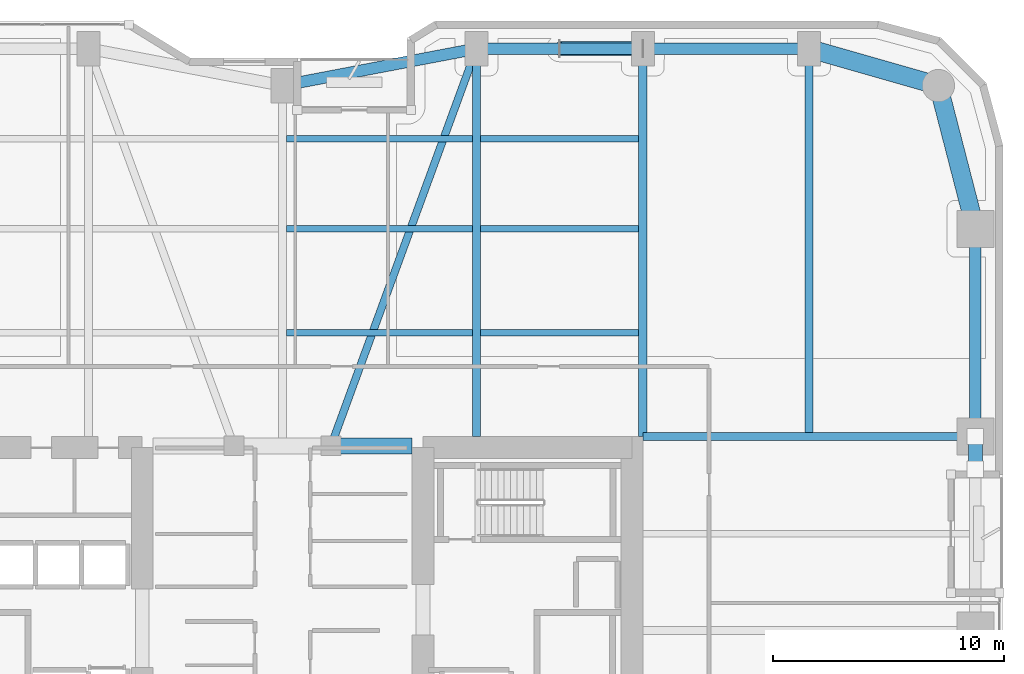
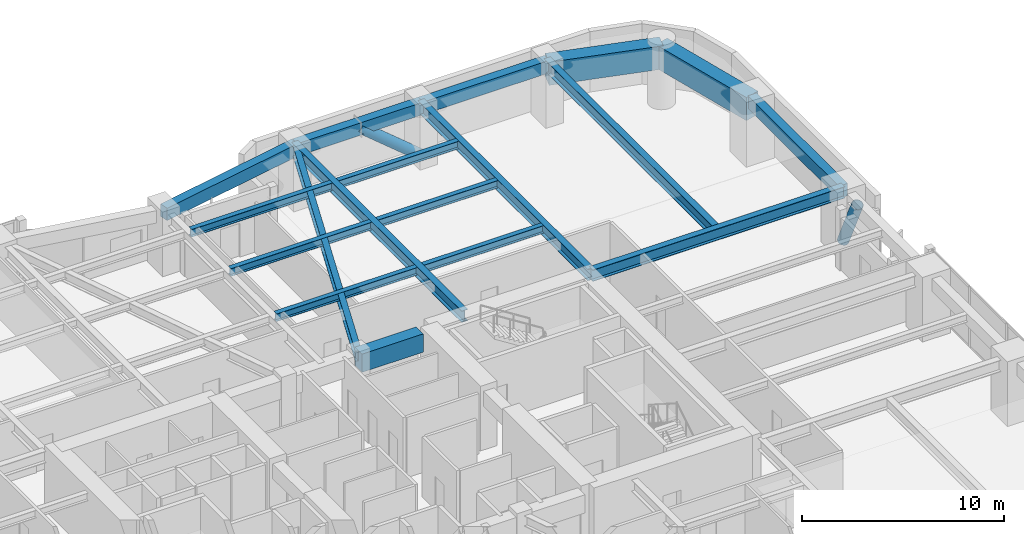
# One storey, part 18 of 28: 18 beams, 2 members.
"""IFC4 building model written with IfcOpenShell, lengths in metres."""

from ifc_helpers import new_model, si_unit, direction, frame, origin, origin_2d, place, context, subcontext, project, spatial, rectangle, hollow_circle, i_section, extrude, material, material_profile, profile_set, type_object, element, save


model = new_model("IFC4")

# Units and contexts
model_context = context("Model", 3, precision=1e-05, world=origin(), true_north=direction((0.0, 1.0)))
body_context = subcontext(model_context, "Body", "Model", "MODEL_VIEW")
ifc_project = project(units=[si_unit("LENGTHUNIT", "METRE"), si_unit("AREAUNIT", "SQUARE_METRE"), si_unit("VOLUMEUNIT", "CUBIC_METRE"), si_unit("PLANEANGLEUNIT", "RADIAN"), si_unit("MASSUNIT", "GRAM", prefix="KILO")], contexts=[model_context])

# Site, building, storey
site_placement = place(None, origin())
site = spatial("IfcSite", under=ifc_project, at=site_placement, CompositionType="ELEMENT")
building_placement = place(site_placement, origin())
building = spatial("IfcBuilding", under=site, at=building_placement, Name="Kiyonajd Concourse Tower", CompositionType="ELEMENT")
storey_placement = place(building_placement, frame((0.0, 0.0, 60.60009765625)))
storey = spatial("IfcBuildingStorey", under=building, at=storey_placement, Name="L16", CompositionType="ELEMENT", Elevation=60.60009765625)

# Beams
ifc_material_1 = material(Name="Concrete C70/85", Category="concrete")
ifc_material_profile_1 = material_profile(ifc_material_1, rectangle(XDim=0.699951171875, YDim=1.10009765625, at=origin_2d()), Name="RCBM-700x1100")
ifc_profile_set_1 = profile_set([ifc_material_profile_1], Name="Concrete C70/85")
beam_type_1 = type_object("IfcBeamType", Name="BM-COUP-1100", PredefinedType="LINTEL", material=ifc_profile_set_1)
beam_1_placement = place(storey_placement, frame((50.10009765625, 44.0, 3.08984375), z_axis=(1.0, 0.0, 0.0), x_axis=(0.0, 1.0, 0.0)))
element("IfcBeam", 1, at=beam_1_placement, inside=storey, type_object=beam_type_1, Name="L16 Core Coupling Beam N3", PredefinedType="LINTEL", context=body_context, shape_type="SweptSolid", body=[
    extrude(rectangle(XDim=0.699951171875, YDim=1.10009765625, at=origin_2d()), origin(), (0.0, 0.0, 1.0), 3.5),
])
ifc_material_2 = material(Name="Steel ASTM A992 Grade 50", Category="steel")
ifc_material_profile_2 = material_profile(ifc_material_2, i_section(OverallWidth=0.280029296875, OverallDepth=0.462890625, WebThickness=0.0107421875, FlangeThickness=0.017333984375, at=origin_2d()), Name="W460X113")
ifc_profile_set_2 = profile_set([ifc_material_profile_2], Name="Steel ASTM A992 Grade 50")
beam_type_2 = type_object("IfcBeamType", Name="BM-JST-460A", PredefinedType="JOIST", material=ifc_profile_set_2)
beam_2_placement = place(storey_placement, frame((48.177490234375, 48.89990234375, 3.408447265625), z_axis=(1.0, 0.0, 0.0), x_axis=(0.0, 1.0, 0.0)))
element("IfcBeam", 2, at=beam_2_placement, inside=storey, type_object=beam_type_2, Name="L16 Secondary Floor Joist", PredefinedType="JOIST", context=body_context, shape_type="SweptSolid", body=[
    extrude(i_section(OverallWidth=0.280029296875, OverallDepth=0.462890625, WebThickness=0.0107421875, FlangeThickness=0.017333984375, at=origin_2d()), origin(), (0.0, 0.0, 1.0), 8.044921875),
])
beam_3_placement = place(storey_placement, frame((56.577392578125, 48.89990234375, 3.408447265625), z_axis=(1.0, 0.0, 0.0), x_axis=(0.0, 1.0, 0.0)))
element("IfcBeam", 3, at=beam_3_placement, inside=storey, type_object=beam_type_2, Name="L16 Secondary Floor Joist", PredefinedType="JOIST", context=body_context, shape_type="SweptSolid", body=[
    extrude(i_section(OverallWidth=0.280029296875, OverallDepth=0.462890625, WebThickness=0.0107421875, FlangeThickness=0.017333984375, at=origin_2d()), origin(), (0.0, 0.0, 1.0), 6.84521484375),
])
beam_4_placement = place(storey_placement, frame((48.177490234375, 53.39990234375, 3.408447265625), z_axis=(1.0, 0.0, 0.0), x_axis=(0.0, 1.0, 0.0)))
element("IfcBeam", 4, at=beam_4_placement, inside=storey, type_object=beam_type_2, Name="L16 Secondary Floor Joist", PredefinedType="JOIST", context=body_context, shape_type="SweptSolid", body=[
    extrude(i_section(OverallWidth=0.280029296875, OverallDepth=0.462890625, WebThickness=0.0107421875, FlangeThickness=0.017333984375, at=origin_2d()), origin(), (0.0, 0.0, 1.0), 8.044921875),
])
beam_5_placement = place(storey_placement, frame((56.577392578125, 53.39990234375, 3.408447265625), z_axis=(1.0, 0.0, 0.0), x_axis=(0.0, 1.0, 0.0)))
element("IfcBeam", 5, at=beam_5_placement, inside=storey, type_object=beam_type_2, Name="L16 Secondary Floor Joist", PredefinedType="JOIST", context=body_context, shape_type="SweptSolid", body=[
    extrude(i_section(OverallWidth=0.280029296875, OverallDepth=0.462890625, WebThickness=0.0107421875, FlangeThickness=0.017333984375, at=origin_2d()), origin(), (0.0, 0.0, 1.0), 6.84521484375),
])
beam_6_placement = place(storey_placement, frame((48.177490234375, 57.300048828125, 3.408447265625), z_axis=(1.0, 0.0, 0.0), x_axis=(0.0, 1.0, 0.0)))
element("IfcBeam", 6, at=beam_6_placement, inside=storey, type_object=beam_type_2, Name="L16 Secondary Floor Joist", PredefinedType="JOIST", context=body_context, shape_type="SweptSolid", body=[
    extrude(i_section(OverallWidth=0.280029296875, OverallDepth=0.462890625, WebThickness=0.0107421875, FlangeThickness=0.017333984375, at=origin_2d()), origin(), (0.0, 0.0, 1.0), 8.044921875),
])
beam_7_placement = place(storey_placement, frame((56.577392578125, 57.300048828125, 3.408447265625), z_axis=(1.0, 0.0, 0.0), x_axis=(0.0, 1.0, 0.0)))
element("IfcBeam", 7, at=beam_7_placement, inside=storey, type_object=beam_type_2, Name="L16 Secondary Floor Joist", PredefinedType="JOIST", context=body_context, shape_type="SweptSolid", body=[
    extrude(i_section(OverallWidth=0.280029296875, OverallDepth=0.462890625, WebThickness=0.0107421875, FlangeThickness=0.017333984375, at=origin_2d()), origin(), (0.0, 0.0, 1.0), 6.84521484375),
])
ifc_material_3 = material(Name="Precast concrete C50/60", Category="concrete")
ifc_material_profile_3 = material_profile(ifc_material_3, rectangle(XDim=0.5, YDim=0.75, at=origin_2d()), Name="RCBM-500x750")
ifc_profile_set_3 = profile_set([ifc_material_profile_3], Name="Precast concrete C50/60")
beam_type_3 = type_object("IfcBeamType", Name="BM-SPAN-RC", PredefinedType="SPANDREL", material=ifc_profile_set_3)
beam_8_placement = place(storey_placement, frame((78.0, 44.39990234375, 3.264892578125), z_axis=(0.0, 1.0, 0.0), x_axis=(-1.0, 0.0, 0.0)))
element("IfcBeam", 8, at=beam_8_placement, inside=storey, type_object=beam_type_3, Name="L16 Perimeter Bundled Tube Spandrel", PredefinedType="SPANDREL", context=body_context, shape_type="SweptSolid", body=[
    extrude(rectangle(XDim=0.5, YDim=0.75, at=origin_2d()), origin(), (0.0, 0.0, 1.0), 9.0),
])
beam_9_placement = place(storey_placement, frame((70.800048828125, 61.199951171875, 3.264892578125), z_axis=(-1.0, 0.0, 0.0), x_axis=(0.0, -1.0, 0.0)))
element("IfcBeam", 9, at=beam_9_placement, inside=storey, type_object=beam_type_3, Name="L16 Perimeter Bundled Tube Spandrel", PredefinedType="SPANDREL", context=body_context, shape_type="SweptSolid", body=[
    extrude(rectangle(XDim=0.5, YDim=0.75, at=origin_2d()), origin(), (0.0, 0.0, 1.0), 7.199951171875),
])
beam_10_placement = place(storey_placement, frame((63.60009765625, 61.199951171875, 3.264892578125), z_axis=(-1.0, 0.0, 0.0), x_axis=(0.0, -1.0, 0.0)))
element("IfcBeam", 10, at=beam_10_placement, inside=storey, type_object=beam_type_3, Name="L16 Perimeter Bundled Tube Spandrel", PredefinedType="SPANDREL", context=body_context, shape_type="SweptSolid", body=[
    extrude(rectangle(XDim=0.5, YDim=0.75, at=origin_2d()), origin(), (0.0, 0.0, 1.0), 7.2001953125),
])
beam_11_placement = place(storey_placement, frame((56.39990234375, 61.199951171875, 3.264892578125), z_axis=(-0.982341315253, -0.187097675953, 0.0), x_axis=(0.187097675953, -0.982341315253, 0.0)))
element("IfcBeam", 11, at=beam_11_placement, inside=storey, type_object=beam_type_3, Name="L16 Perimeter Bundled Tube Spandrel", PredefinedType="SPANDREL", context=body_context, shape_type="SweptSolid", body=[
    extrude(rectangle(XDim=0.5, YDim=0.75, at=origin_2d()), origin(), (0.0, 0.0, 1.0), 8.55078125),
])
ifc_material_profile_4 = material_profile(ifc_material_2, i_section(OverallWidth=0.326904296875, OverallDepth=0.6220703125, WebThickness=0.015380859375, FlangeThickness=0.0244140625, at=origin_2d()), Name="W610X195")
ifc_profile_set_4 = profile_set([ifc_material_profile_4], Name="Steel ASTM A992 Grade 50")
beam_type_4 = type_object("IfcBeamType", Name="BM-TWR-610A", PredefinedType="BEAM", material=ifc_profile_set_4)
beam_12_placement = place(storey_placement, frame((50.10009765625, 44.0, 3.328857421875), z_axis=(0.343925269715, 0.938997022813, 0.0), x_axis=(-0.938997022813, 0.343925269715, 0.0)))
element("IfcBeam", 12, at=beam_12_placement, inside=storey, type_object=beam_type_4, Name="L16 Core Tie Girder", PredefinedType="BEAM", context=body_context, shape_type="SweptSolid", body=[
    extrude(i_section(OverallWidth=0.326904296875, OverallDepth=0.6220703125, WebThickness=0.015380859375, FlangeThickness=0.0244140625, at=origin_2d()), origin(), (0.0, 0.0, 1.0), 18.3173828125),
])
ifc_material_profile_5 = material_profile(ifc_material_2, i_section(OverallWidth=0.35498046875, OverallDepth=0.695068359375, WebThickness=0.015380859375, FlangeThickness=0.02490234375, at=origin_2d()), Name="W690X217")
ifc_profile_set_5 = profile_set([ifc_material_profile_5], Name="Steel ASTM A992 Grade 50")
beam_type_5 = type_object("IfcBeamType", Name="BM-TWR-690", PredefinedType="BEAM", material=ifc_profile_set_5)
for number, where, z_axis, x_axis, name in (
    (13, (56.39990234375, 44.39990234375, 3.29248046875), (0.0, 1.0, 0.0), (-1.0, 0.0, 0.0), "L16 North Lease Girder"),
    (14, (63.60009765625, 44.39990234375, 3.29248046875), (0.0, 1.0, 0.0), (-1.0, 0.0, 0.0), "L16 North Lease Girder"),
    (15, (70.800048828125, 44.39990234375, 3.29248046875), (0.0, 1.0, 0.0), (-1.0, 0.0, 0.0), "L16 North Lease Girder"),
):
    element("IfcBeam", number, at=place(storey_placement, frame(where, z_axis=z_axis, x_axis=x_axis)), inside=storey, type_object=beam_type_5, Name=name, PredefinedType="BEAM", context=body_context, shape_type="SweptSolid", body=[
        extrude(i_section(OverallWidth=0.35498046875, OverallDepth=0.695068359375, WebThickness=0.015380859375, FlangeThickness=0.02490234375, at=origin_2d()), origin(), (0.0, 0.0, 1.0), 16.800048828125),
    ])
beam_13_placement = place(storey_placement, frame((63.60009765625, 44.39990234375, 3.29248046875), z_axis=(1.0, 0.0, 0.0), x_axis=(0.0, 1.0, 0.0)))
element("IfcBeam", 16, at=beam_13_placement, inside=storey, type_object=beam_type_5, Name="L16 East Lease Girder", PredefinedType="BEAM", context=body_context, shape_type="SweptSolid", body=[
    extrude(i_section(OverallWidth=0.35498046875, OverallDepth=0.695068359375, WebThickness=0.015380859375, FlangeThickness=0.02490234375, at=origin_2d()), origin(), (0.0, 0.0, 1.0), 14.39990234375),
])
ifc_material_4 = material(Name="Concrete C60/75", Category="concrete")
ifc_material_profile_6 = material_profile(ifc_material_4, rectangle(XDim=0.800048828125, YDim=1.39990234375, at=origin_2d()), Name="RCBM-800x1400")
ifc_profile_set_6 = profile_set([ifc_material_profile_6], Name="Concrete C60/75")
beam_type_6 = type_object("IfcBeamType", Name="BM-XFER-RC", PredefinedType="BEAM", material=ifc_profile_set_6)
beam_14_placement = place(storey_placement, frame((78.0, 53.39990234375, 2.93994140625), z_axis=(-0.249884937687, 0.968275538221, 0.0), x_axis=(-0.968275538221, -0.249884937687, 0.0)))
element("IfcBeam", 17, at=beam_14_placement, inside=storey, type_object=beam_type_6, Name="L16 Perimeter Bundled Tube Spandrel", PredefinedType="BEAM", context=body_context, shape_type="SweptSolid", body=[
    extrude(rectangle(XDim=0.800048828125, YDim=1.39990234375, at=origin_2d()), origin(), (0.0, 0.0, 1.0), 6.4033203125),
])
beam_15_placement = place(storey_placement, frame((76.39990234375, 59.60009765625, 2.93994140625), z_axis=(-0.961528693205, 0.274704517878, 0.0), x_axis=(-0.274704517878, -0.961528693205, 0.0)))
element("IfcBeam", 18, at=beam_15_placement, inside=storey, type_object=beam_type_6, Name="L16 Perimeter Bundled Tube Spandrel", PredefinedType="BEAM", context=body_context, shape_type="SweptSolid", body=[
    extrude(rectangle(XDim=0.800048828125, YDim=1.39990234375, at=origin_2d()), origin(), (0.0, 0.0, 1.0), 5.823974609375),
])

# Members
ifc_material_5 = material(Name="Steel ASTM A572 Grade 50", Category="steel")
ifc_material_profile_7 = material_profile(ifc_material_5, hollow_circle(Radius=0.304931640625, WallThickness=0.02490234375, at=origin_2d()), Name="CHS-610x25")
ifc_profile_set_7 = profile_set([ifc_material_profile_7], Name="Steel ASTM A572 Grade 50")
member_type = type_object("IfcMemberType", Name="MB-PB-LOW", PredefinedType="BRACE", material=ifc_profile_set_7)
member_1_placement = place(storey_placement, frame((63.60009765625, 61.199951171875, 0.2998046875), z_axis=(-0.769280705518, 0.0, 0.638910945373), x_axis=(0.0, -1.0, 0.0)))
element("IfcMember", 19, at=member_1_placement, inside=storey, type_object=member_type, Name="L16 Lower Zone Welded Tube Brace PBN", PredefinedType="BRACE", context=body_context, shape_type="SweptSolid", body=[
    extrude(hollow_circle(Radius=0.304931640625, WallThickness=0.02490234375, at=origin_2d()), origin(), (0.0, 0.0, 1.0), 4.679931640625),
])
member_2_placement = place(storey_placement, frame((78.0, 44.39990234375, 0.2998046875), z_axis=(0.0, -0.424022702926, 0.905651559598), x_axis=(1.0, 0.0, 0.0)))
element("IfcMember", 20, at=member_2_placement, inside=storey, type_object=member_type, Name="L16 Lower Zone Welded Tube Brace PBE", PredefinedType="BRACE", context=body_context, shape_type="SweptSolid", body=[
    extrude(hollow_circle(Radius=0.304931640625, WallThickness=0.02490234375, at=origin_2d()), origin(), (0.0, 0.0, 1.0), 3.301513671875),
])

save(model, "model.ifc")
